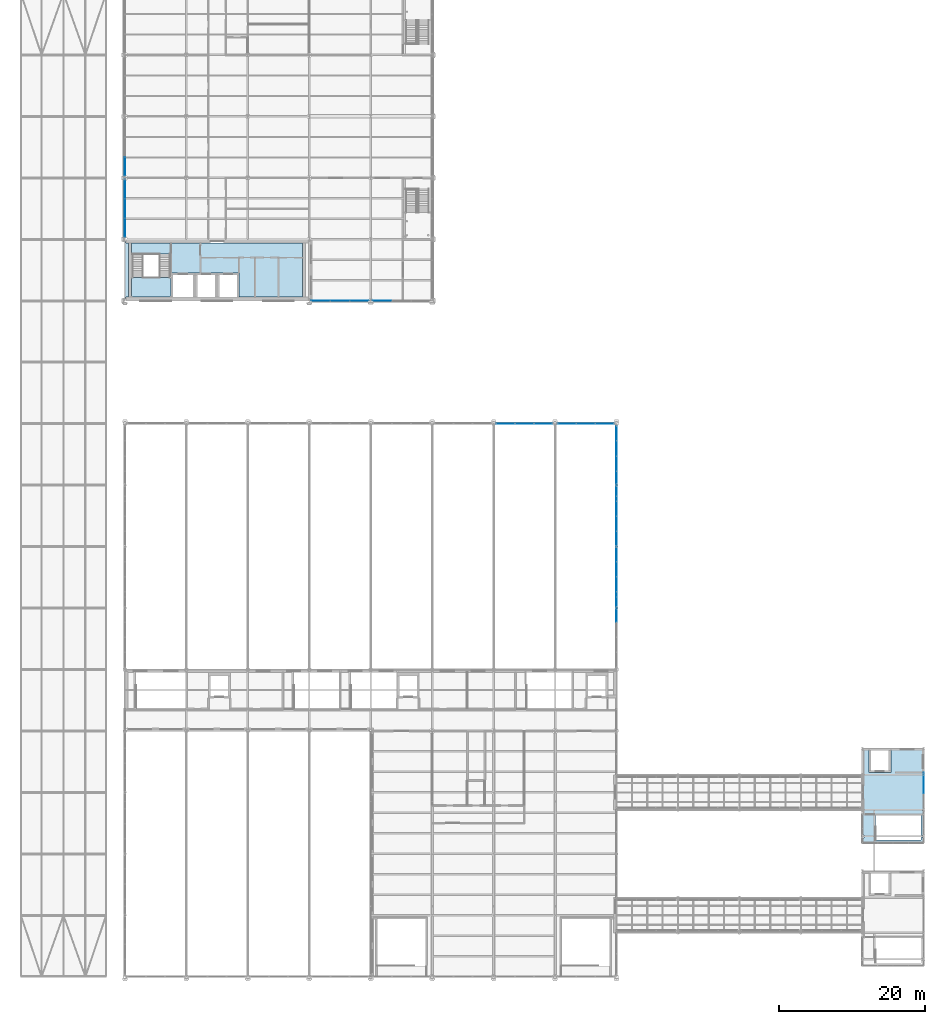
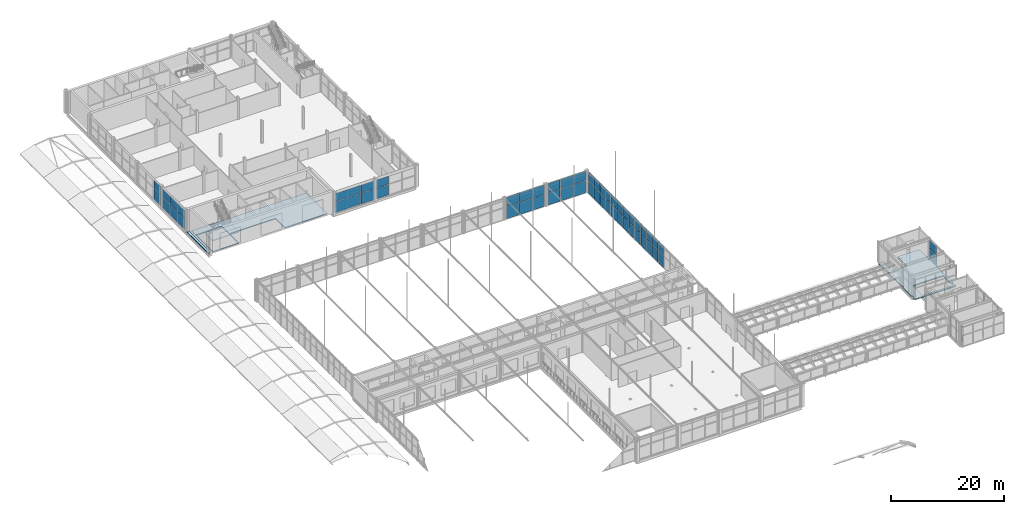
# One storey, part 147 of 167: 56 plates, 4 slabs, 9 elements without a shape of their own.
"""IFC4 building model written with IfcOpenShell, lengths in metres."""

from ifc_helpers import new_model, si_unit, direction, frame, origin, origin_2d, place, context, subcontext, project, spatial, polyline, rectangle, outline, extrude, material, layer, layer_set, type_object, element, aggregate, save


model = new_model("IFC4")

# Units and contexts
model_context = context("Model", 3, precision=1e-05, world=origin(), true_north=direction((0.0, 1.0)))
body_context = subcontext(model_context, "Body", "Model", "MODEL_VIEW")
ifc_project = project(units=[si_unit("LENGTHUNIT", "METRE"), si_unit("AREAUNIT", "SQUARE_METRE"), si_unit("VOLUMEUNIT", "CUBIC_METRE"), si_unit("PLANEANGLEUNIT", "RADIAN"), si_unit("MASSUNIT", "GRAM", prefix="KILO")], contexts=[model_context])

# Site, building, storey
site_placement = place(None, origin())
site = spatial("IfcSite", under=ifc_project, at=site_placement, CompositionType="ELEMENT")
building_placement = place(site_placement, origin())
building = spatial("IfcBuilding", under=site, at=building_placement, Name="Catenary Quay Ferry Terminal", CompositionType="ELEMENT")
storey_placement = place(building_placement, frame((0.0, 0.0, 6.0)))
storey = spatial("IfcBuildingStorey", under=building, at=storey_placement, Name="L01", CompositionType="ELEMENT", Elevation=6.0)

# Slabs
ifc_material_1 = material(Name="Concrete C35/45", Category="concrete")
ifc_layer_1 = layer(ifc_material_1, 0.199951171875)
ifc_layer_set_1 = layer_set([ifc_layer_1], Name="Composite floor slab 200")
slab_type_1 = type_object("IfcSlabType", Name="Composite floor slab 200", PredefinedType="FLOOR", material=ifc_layer_set_1)
slab_1_placement = place(storey_placement, frame((0.0, 0.0, -0.199951171875)))
element("IfcSlab", 1, at=slab_1_placement, inside=storey, type_object=slab_type_1, Name="Berth head house floor slab BH2", PredefinedType="FLOOR", context=body_context, shape_type="SweptSolid", body=[
    extrude(outline(polyline([(134.39990234375, 85.5), (126.0, 85.5), (126.0, 86.195068359375), (126.205078125, 86.195068359375), (126.205078125, 86.60498046875), (126.0, 86.60498046875), (126.0, 89.840087890625), (126.159912109375, 89.840087890625), (126.159912109375, 90.159912109375), (126.0, 90.159912109375), (126.0, 94.639892578125), (126.159912109375, 94.639892578125), (126.159912109375, 94.9599609375), (126.0, 94.9599609375), (126.0, 98.195068359375), (126.205078125, 98.195068359375), (126.205078125, 98.39990234375), (126.89990234375, 98.39990234375), (126.89990234375, 95.10009765625), (129.89990234375, 95.10009765625), (129.89990234375, 98.39990234375), (134.195068359375, 98.39990234375), (134.195068359375, 98.195068359375), (134.39990234375, 98.195068359375), (134.39990234375, 94.9599609375), (134.239990234375, 94.9599609375), (134.239990234375, 94.639892578125), (134.39990234375, 94.639892578125), (134.39990234375, 90.159912109375), (134.239990234375, 90.159912109375), (134.239990234375, 89.840087890625), (134.39990234375, 89.840087890625), (134.39990234375, 86.60498046875), (134.195068359375, 86.60498046875), (134.195068359375, 86.195068359375), (134.39990234375, 86.195068359375), (134.39990234375, 85.5)]), holes=[polyline([(134.0, 85.89990234375), (134.0, 89.300048828125), (127.800048828125, 89.300048828125), (127.800048828125, 85.89990234375), (134.0, 85.89990234375)])]), origin(), (0.0, 0.0, 1.0), 0.199951171875),
])
slab_2_placement = place(storey_placement, frame((0.0, 0.0, -0.199951171875)))
element("IfcSlab", 2, at=slab_2_placement, inside=storey, type_object=slab_type_1, Name="L01 podium floor slab", PredefinedType="FLOOR", context=body_context, shape_type="SweptSolid", body=[
    extrude(outline(polyline([(25.199951171875, 167.739990234375), (25.340087890625, 167.739990234375), (25.340087890625, 167.489990234375), (25.68994140625, 167.489990234375), (25.68994140625, 160.110107421875), (25.340087890625, 160.110107421875), (25.340087890625, 159.860107421875), (25.199951171875, 159.860107421875), (25.199951171875, 167.739990234375)])), origin(), (0.0, 0.0, 1.0), 0.199951171875),
])
slab_3_placement = place(storey_placement, frame((0.0, 0.0, -0.199951171875)))
element("IfcSlab", 3, at=slab_3_placement, inside=storey, type_object=slab_type_1, Name="L01 podium floor slab", PredefinedType="FLOOR", context=body_context, shape_type="SweptSolid", body=[
    extrude(outline(polyline([(26.110107421875, 167.489990234375), (49.489990234375, 167.489990234375), (49.489990234375, 160.110107421875), (40.800048828125, 160.110107421875), (40.800048828125, 163.39990234375), (37.800048828125, 163.39990234375), (34.800048828125, 163.39990234375), (31.5, 163.39990234375), (31.5, 160.110107421875), (26.110107421875, 160.110107421875), (26.110107421875, 167.489990234375)]), holes=[polyline([(26.199951171875, 160.199951171875), (31.39990234375, 160.199951171875), (31.39990234375, 166.0), (26.199951171875, 166.0), (26.199951171875, 160.199951171875)])]), origin(), (0.0, 0.0, 1.0), 0.199951171875),
])

# Curtain wall, plates
ifc_material_2 = material(Name="Aluminium and glass", Category="aluminium")
curtain_wall_type_1 = type_object("IfcCurtainWallType", Name="CWG", PredefinedType="NOTDEFINED", material=ifc_material_2)
curtain_wall_1_placement = place(storey_placement, origin())
curtain_wall_1 = element("IfcCurtainWall", 4, at=curtain_wall_1_placement, inside=storey, type_object=curtain_wall_type_1, Name="Gable departure hall curtain wall CW20", PredefinedType="NOTDEFINED")
ifc_material_3 = material(Name="Glass", Category="glass")
ifc_layer_2 = layer(ifc_material_3, 0.031982421875)
ifc_layer_set_2 = layer_set([ifc_layer_2], Name="PN1")
plate_type_1 = type_object("IfcPlateType", Name="PN1", PredefinedType="CURTAIN_PANEL", material=ifc_layer_set_2)
plate_1_placement = place(storey_placement, frame((92.39990234375, 116.71875, 0.06005859375), z_axis=(0.0, 0.0, 1.0), x_axis=(0.0, 1.0, 0.0)))
plate_1 = element("IfcPlate", 5, at=plate_1_placement, type_object=plate_type_1, Name="CW20 panel 4.1", PredefinedType="CURTAIN_PANEL", context=body_context, shape_type="SweptSolid", body=[
    extrude(rectangle(XDim=2.00244140625, YDim=0.031982421875, at=origin_2d()), origin(), (0.0, 0.0, 1.0), 2.610107421875),
])
plate_2_placement = place(storey_placement, frame((92.39990234375, 116.71875, 2.72998046875), z_axis=(0.0, 0.0, 1.0), x_axis=(0.0, 1.0, 0.0)))
plate_2 = element("IfcPlate", 6, at=plate_2_placement, type_object=plate_type_1, Name="CW20 panel 4.2", PredefinedType="CURTAIN_PANEL", context=body_context, shape_type="SweptSolid", body=[
    extrude(rectangle(XDim=2.00244140625, YDim=0.031982421875, at=origin_2d()), origin(), (0.0, 0.0, 1.0), 2.010009765625),
])
plate_3_placement = place(storey_placement, frame((92.39990234375, 118.78125, 0.06005859375), z_axis=(0.0, 0.0, 1.0), x_axis=(0.0, 1.0, 0.0)))
plate_3 = element("IfcPlate", 7, at=plate_3_placement, type_object=plate_type_1, Name="CW20 panel 5.1", PredefinedType="CURTAIN_PANEL", context=body_context, shape_type="SweptSolid", body=[
    extrude(rectangle(XDim=2.00244140625, YDim=0.031982421875, at=origin_2d()), origin(), (0.0, 0.0, 1.0), 2.610107421875),
])
plate_4_placement = place(storey_placement, frame((92.39990234375, 118.78125, 2.72998046875), z_axis=(0.0, 0.0, 1.0), x_axis=(0.0, 1.0, 0.0)))
plate_4 = element("IfcPlate", 8, at=plate_4_placement, type_object=plate_type_1, Name="CW20 panel 5.2", PredefinedType="CURTAIN_PANEL", context=body_context, shape_type="SweptSolid", body=[
    extrude(rectangle(XDim=2.00244140625, YDim=0.031982421875, at=origin_2d()), origin(), (0.0, 0.0, 1.0), 2.010009765625),
])
plate_5_placement = place(storey_placement, frame((92.39990234375, 120.84375, 0.06005859375), z_axis=(0.0, 0.0, 1.0), x_axis=(0.0, 1.0, 0.0)))
plate_5 = element("IfcPlate", 9, at=plate_5_placement, type_object=plate_type_1, Name="CW20 panel 6.1", PredefinedType="CURTAIN_PANEL", context=body_context, shape_type="SweptSolid", body=[
    extrude(rectangle(XDim=2.00244140625, YDim=0.031982421875, at=origin_2d()), origin(), (0.0, 0.0, 1.0), 2.610107421875),
])
plate_6_placement = place(storey_placement, frame((92.39990234375, 120.84375, 2.72998046875), z_axis=(0.0, 0.0, 1.0), x_axis=(0.0, 1.0, 0.0)))
plate_6 = element("IfcPlate", 10, at=plate_6_placement, type_object=plate_type_1, Name="CW20 panel 6.2", PredefinedType="CURTAIN_PANEL", context=body_context, shape_type="SweptSolid", body=[
    extrude(rectangle(XDim=2.00244140625, YDim=0.031982421875, at=origin_2d()), origin(), (0.0, 0.0, 1.0), 2.010009765625),
])
plate_7_placement = place(storey_placement, frame((92.39990234375, 122.90625, 0.06005859375), z_axis=(0.0, 0.0, 1.0), x_axis=(0.0, 1.0, 0.0)))
plate_7 = element("IfcPlate", 11, at=plate_7_placement, type_object=plate_type_1, Name="CW20 panel 7.1", PredefinedType="CURTAIN_PANEL", context=body_context, shape_type="SweptSolid", body=[
    extrude(rectangle(XDim=2.00244140625, YDim=0.031982421875, at=origin_2d()), origin(), (0.0, 0.0, 1.0), 2.610107421875),
])
plate_8_placement = place(storey_placement, frame((92.39990234375, 122.90625, 2.72998046875), z_axis=(0.0, 0.0, 1.0), x_axis=(0.0, 1.0, 0.0)))
plate_8 = element("IfcPlate", 12, at=plate_8_placement, type_object=plate_type_1, Name="CW20 panel 7.2", PredefinedType="CURTAIN_PANEL", context=body_context, shape_type="SweptSolid", body=[
    extrude(rectangle(XDim=2.00244140625, YDim=0.031982421875, at=origin_2d()), origin(), (0.0, 0.0, 1.0), 2.010009765625),
])
plate_9_placement = place(storey_placement, frame((92.39990234375, 124.96875, 0.06005859375), z_axis=(0.0, 0.0, 1.0), x_axis=(0.0, 1.0, 0.0)))
plate_9 = element("IfcPlate", 13, at=plate_9_placement, type_object=plate_type_1, Name="CW20 panel 8.1", PredefinedType="CURTAIN_PANEL", context=body_context, shape_type="SweptSolid", body=[
    extrude(rectangle(XDim=2.00244140625, YDim=0.031982421875, at=origin_2d()), origin(), (0.0, 0.0, 1.0), 2.610107421875),
])
plate_10_placement = place(storey_placement, frame((92.39990234375, 124.96875, 2.72998046875), z_axis=(0.0, 0.0, 1.0), x_axis=(0.0, 1.0, 0.0)))
plate_10 = element("IfcPlate", 14, at=plate_10_placement, type_object=plate_type_1, Name="CW20 panel 8.2", PredefinedType="CURTAIN_PANEL", context=body_context, shape_type="SweptSolid", body=[
    extrude(rectangle(XDim=2.00244140625, YDim=0.031982421875, at=origin_2d()), origin(), (0.0, 0.0, 1.0), 2.010009765625),
])
plate_11_placement = place(storey_placement, frame((92.39990234375, 127.03125, 0.06005859375), z_axis=(0.0, 0.0, 1.0), x_axis=(0.0, 1.0, 0.0)))
plate_11 = element("IfcPlate", 15, at=plate_11_placement, type_object=plate_type_1, Name="CW20 panel 9.1", PredefinedType="CURTAIN_PANEL", context=body_context, shape_type="SweptSolid", body=[
    extrude(rectangle(XDim=2.00244140625, YDim=0.031982421875, at=origin_2d()), origin(), (0.0, 0.0, 1.0), 2.610107421875),
])
plate_12_placement = place(storey_placement, frame((92.39990234375, 127.03125, 2.72998046875), z_axis=(0.0, 0.0, 1.0), x_axis=(0.0, 1.0, 0.0)))
plate_12 = element("IfcPlate", 16, at=plate_12_placement, type_object=plate_type_1, Name="CW20 panel 9.2", PredefinedType="CURTAIN_PANEL", context=body_context, shape_type="SweptSolid", body=[
    extrude(rectangle(XDim=2.00244140625, YDim=0.031982421875, at=origin_2d()), origin(), (0.0, 0.0, 1.0), 2.010009765625),
])
plate_13_placement = place(storey_placement, frame((92.39990234375, 129.09375, 0.06005859375), z_axis=(0.0, 0.0, 1.0), x_axis=(0.0, 1.0, 0.0)))
plate_13 = element("IfcPlate", 17, at=plate_13_placement, type_object=plate_type_1, Name="CW20 panel 10.1", PredefinedType="CURTAIN_PANEL", context=body_context, shape_type="SweptSolid", body=[
    extrude(rectangle(XDim=2.00244140625, YDim=0.031982421875, at=origin_2d()), origin(), (0.0, 0.0, 1.0), 2.610107421875),
])
plate_14_placement = place(storey_placement, frame((92.39990234375, 129.09375, 2.72998046875), z_axis=(0.0, 0.0, 1.0), x_axis=(0.0, 1.0, 0.0)))
plate_14 = element("IfcPlate", 18, at=plate_14_placement, type_object=plate_type_1, Name="CW20 panel 10.2", PredefinedType="CURTAIN_PANEL", context=body_context, shape_type="SweptSolid", body=[
    extrude(rectangle(XDim=2.00244140625, YDim=0.031982421875, at=origin_2d()), origin(), (0.0, 0.0, 1.0), 2.010009765625),
])
plate_15_placement = place(storey_placement, frame((92.39990234375, 131.15625, 0.06005859375), z_axis=(0.0, 0.0, 1.0), x_axis=(0.0, 1.0, 0.0)))
plate_15 = element("IfcPlate", 19, at=plate_15_placement, type_object=plate_type_1, Name="CW20 panel 11.1", PredefinedType="CURTAIN_PANEL", context=body_context, shape_type="SweptSolid", body=[
    extrude(rectangle(XDim=2.00244140625, YDim=0.031982421875, at=origin_2d()), origin(), (0.0, 0.0, 1.0), 2.610107421875),
])
plate_16_placement = place(storey_placement, frame((92.39990234375, 131.15625, 2.72998046875), z_axis=(0.0, 0.0, 1.0), x_axis=(0.0, 1.0, 0.0)))
plate_16 = element("IfcPlate", 20, at=plate_16_placement, type_object=plate_type_1, Name="CW20 panel 11.2", PredefinedType="CURTAIN_PANEL", context=body_context, shape_type="SweptSolid", body=[
    extrude(rectangle(XDim=2.00244140625, YDim=0.031982421875, at=origin_2d()), origin(), (0.0, 0.0, 1.0), 2.010009765625),
])
plate_17_placement = place(storey_placement, frame((92.39990234375, 133.21875, 0.06005859375), z_axis=(0.0, 0.0, 1.0), x_axis=(0.0, 1.0, 0.0)))
plate_17 = element("IfcPlate", 21, at=plate_17_placement, type_object=plate_type_1, Name="CW20 panel 12.1", PredefinedType="CURTAIN_PANEL", context=body_context, shape_type="SweptSolid", body=[
    extrude(rectangle(XDim=2.00244140625, YDim=0.031982421875, at=origin_2d()), origin(), (0.0, 0.0, 1.0), 2.610107421875),
])
plate_18_placement = place(storey_placement, frame((92.39990234375, 133.21875, 2.72998046875), z_axis=(0.0, 0.0, 1.0), x_axis=(0.0, 1.0, 0.0)))
plate_18 = element("IfcPlate", 22, at=plate_18_placement, type_object=plate_type_1, Name="CW20 panel 12.2", PredefinedType="CURTAIN_PANEL", context=body_context, shape_type="SweptSolid", body=[
    extrude(rectangle(XDim=2.00244140625, YDim=0.031982421875, at=origin_2d()), origin(), (0.0, 0.0, 1.0), 2.010009765625),
])
plate_19_placement = place(storey_placement, frame((92.39990234375, 135.28125, 0.06005859375), z_axis=(0.0, 0.0, 1.0), x_axis=(0.0, 1.0, 0.0)))
plate_19 = element("IfcPlate", 23, at=plate_19_placement, type_object=plate_type_1, Name="CW20 panel 13.1", PredefinedType="CURTAIN_PANEL", context=body_context, shape_type="SweptSolid", body=[
    extrude(rectangle(XDim=2.00244140625, YDim=0.031982421875, at=origin_2d()), origin(), (0.0, 0.0, 1.0), 2.610107421875),
])
plate_20_placement = place(storey_placement, frame((92.39990234375, 135.28125, 2.72998046875), z_axis=(0.0, 0.0, 1.0), x_axis=(0.0, 1.0, 0.0)))
plate_20 = element("IfcPlate", 24, at=plate_20_placement, type_object=plate_type_1, Name="CW20 panel 13.2", PredefinedType="CURTAIN_PANEL", context=body_context, shape_type="SweptSolid", body=[
    extrude(rectangle(XDim=2.00244140625, YDim=0.031982421875, at=origin_2d()), origin(), (0.0, 0.0, 1.0), 2.010009765625),
])
plate_21_placement = place(storey_placement, frame((92.39990234375, 137.34375, 0.06005859375), z_axis=(0.0, 0.0, 1.0), x_axis=(0.0, 1.0, 0.0)))
plate_21 = element("IfcPlate", 25, at=plate_21_placement, type_object=plate_type_1, Name="CW20 panel 14.1", PredefinedType="CURTAIN_PANEL", context=body_context, shape_type="SweptSolid", body=[
    extrude(rectangle(XDim=2.00244140625, YDim=0.031982421875, at=origin_2d()), origin(), (0.0, 0.0, 1.0), 2.610107421875),
])
plate_22_placement = place(storey_placement, frame((92.39990234375, 137.34375, 2.72998046875), z_axis=(0.0, 0.0, 1.0), x_axis=(0.0, 1.0, 0.0)))
plate_22 = element("IfcPlate", 26, at=plate_22_placement, type_object=plate_type_1, Name="CW20 panel 14.2", PredefinedType="CURTAIN_PANEL", context=body_context, shape_type="SweptSolid", body=[
    extrude(rectangle(XDim=2.00244140625, YDim=0.031982421875, at=origin_2d()), origin(), (0.0, 0.0, 1.0), 2.010009765625),
])
plate_23_placement = place(storey_placement, frame((92.39990234375, 139.40625, 0.06005859375), z_axis=(0.0, 0.0, 1.0), x_axis=(0.0, 1.0, 0.0)))
plate_23 = element("IfcPlate", 27, at=plate_23_placement, type_object=plate_type_1, Name="CW20 panel 15.1", PredefinedType="CURTAIN_PANEL", context=body_context, shape_type="SweptSolid", body=[
    extrude(rectangle(XDim=2.00244140625, YDim=0.031982421875, at=origin_2d()), origin(), (0.0, 0.0, 1.0), 2.610107421875),
])
plate_24_placement = place(storey_placement, frame((92.39990234375, 139.40625, 2.72998046875), z_axis=(0.0, 0.0, 1.0), x_axis=(0.0, 1.0, 0.0)))
plate_24 = element("IfcPlate", 28, at=plate_24_placement, type_object=plate_type_1, Name="CW20 panel 15.2", PredefinedType="CURTAIN_PANEL", context=body_context, shape_type="SweptSolid", body=[
    extrude(rectangle(XDim=2.00244140625, YDim=0.031982421875, at=origin_2d()), origin(), (0.0, 0.0, 1.0), 2.010009765625),
])
plate_25_placement = place(storey_placement, frame((92.39990234375, 141.453857421875, 0.06005859375), z_axis=(0.0, 0.0, 1.0), x_axis=(0.0, 1.0, 0.0)))
plate_25 = element("IfcPlate", 29, at=plate_25_placement, type_object=plate_type_1, Name="CW20 panel 16.1", PredefinedType="CURTAIN_PANEL", context=body_context, shape_type="SweptSolid", body=[
    extrude(rectangle(XDim=1.972412109375, YDim=0.031982421875, at=origin_2d()), origin(), (0.0, 0.0, 1.0), 2.610107421875),
])
plate_26_placement = place(storey_placement, frame((92.39990234375, 141.453857421875, 2.72998046875), z_axis=(0.0, 0.0, 1.0), x_axis=(0.0, 1.0, 0.0)))
plate_26 = element("IfcPlate", 30, at=plate_26_placement, type_object=plate_type_1, Name="CW20 panel 16.2", PredefinedType="CURTAIN_PANEL", context=body_context, shape_type="SweptSolid", body=[
    extrude(rectangle(XDim=1.972412109375, YDim=0.031982421875, at=origin_2d()), origin(), (0.0, 0.0, 1.0), 2.010009765625),
])
aggregate(curtain_wall_1, [plate_1, plate_2, plate_3, plate_4, plate_5, plate_6, plate_7, plate_8, plate_9, plate_10, plate_11, plate_12, plate_13, plate_14, plate_15, plate_16, plate_17, plate_18, plate_19, plate_20, plate_21, plate_22, plate_23, plate_24, plate_25, plate_26])

ifc_material_4 = material(Name="Aluminium and glass", Category="aluminium")
curtain_wall_type_2 = type_object("IfcCurtainWallType", Name="CWH", PredefinedType="NOTDEFINED", material=ifc_material_4)
curtain_wall_2_placement = place(storey_placement, origin())
curtain_wall_2 = element("IfcCurtainWall", 31, at=curtain_wall_2_placement, inside=storey, type_object=curtain_wall_type_2, Name="Hall curtain wall CW54", PredefinedType="NOTDEFINED")
ifc_material_5 = material(Name="Glass", Category="glass")
ifc_layer_3 = layer(ifc_material_5, 0.0400390625)
ifc_layer_set_3 = layer_set([ifc_layer_3], Name="PN2")
plate_type_2 = type_object("IfcPlateType", Name="PN2", PredefinedType="CURTAIN_PANEL", material=ifc_layer_set_3)
plate_27_placement = place(storey_placement, frame((77.217529296875, 142.800048828125, 0.06005859375), z_axis=(0.0, 0.0, 1.0), x_axis=(1.0, 0.0, 0.0)))
plate_27 = element("IfcPlate", 32, at=plate_27_placement, type_object=plate_type_2, Name="CW54 panel 1.1", PredefinedType="CURTAIN_PANEL", context=body_context, shape_type="SweptSolid", body=[
    extrude(rectangle(XDim=2.4951171875, YDim=0.0400390625, at=origin_2d()), origin(), (0.0, 0.0, 1.0), 2.610107421875),
])
plate_28_placement = place(storey_placement, frame((77.217529296875, 142.800048828125, 2.72998046875), z_axis=(0.0, 0.0, 1.0), x_axis=(1.0, 0.0, 0.0)))
plate_28 = element("IfcPlate", 33, at=plate_28_placement, type_object=plate_type_2, Name="CW54 panel 1.2", PredefinedType="CURTAIN_PANEL", context=body_context, shape_type="SweptSolid", body=[
    extrude(rectangle(XDim=2.4951171875, YDim=0.0400390625, at=origin_2d()), origin(), (0.0, 0.0, 1.0), 2.010009765625),
])
plate_29_placement = place(storey_placement, frame((79.800048828125, 142.800048828125, 0.06005859375), z_axis=(0.0, 0.0, 1.0), x_axis=(1.0, 0.0, 0.0)))
plate_29 = element("IfcPlate", 34, at=plate_29_placement, type_object=plate_type_2, Name="CW54 panel 2.1", PredefinedType="CURTAIN_PANEL", context=body_context, shape_type="SweptSolid", body=[
    extrude(rectangle(XDim=2.530029296875, YDim=0.0400390625, at=origin_2d()), origin(), (0.0, 0.0, 1.0), 2.610107421875),
])
plate_30_placement = place(storey_placement, frame((79.800048828125, 142.800048828125, 2.72998046875), z_axis=(0.0, 0.0, 1.0), x_axis=(1.0, 0.0, 0.0)))
plate_30 = element("IfcPlate", 35, at=plate_30_placement, type_object=plate_type_2, Name="CW54 panel 2.2", PredefinedType="CURTAIN_PANEL", context=body_context, shape_type="SweptSolid", body=[
    extrude(rectangle(XDim=2.530029296875, YDim=0.0400390625, at=origin_2d()), origin(), (0.0, 0.0, 1.0), 2.010009765625),
])
plate_31_placement = place(storey_placement, frame((82.382568359375, 142.800048828125, 0.06005859375), z_axis=(0.0, 0.0, 1.0), x_axis=(1.0, 0.0, 0.0)))
plate_31 = element("IfcPlate", 36, at=plate_31_placement, type_object=plate_type_2, Name="CW54 panel 3.1", PredefinedType="CURTAIN_PANEL", context=body_context, shape_type="SweptSolid", body=[
    extrude(rectangle(XDim=2.4951171875, YDim=0.0400390625, at=origin_2d()), origin(), (0.0, 0.0, 1.0), 2.610107421875),
])
plate_32_placement = place(storey_placement, frame((82.382568359375, 142.800048828125, 2.72998046875), z_axis=(0.0, 0.0, 1.0), x_axis=(1.0, 0.0, 0.0)))
plate_32 = element("IfcPlate", 37, at=plate_32_placement, type_object=plate_type_2, Name="CW54 panel 3.2", PredefinedType="CURTAIN_PANEL", context=body_context, shape_type="SweptSolid", body=[
    extrude(rectangle(XDim=2.4951171875, YDim=0.0400390625, at=origin_2d()), origin(), (0.0, 0.0, 1.0), 2.010009765625),
])
aggregate(curtain_wall_2, [plate_27, plate_28, plate_29, plate_30, plate_31, plate_32])

curtain_wall_3_placement = place(storey_placement, origin())
curtain_wall_3 = element("IfcCurtainWall", 38, at=curtain_wall_3_placement, inside=storey, type_object=curtain_wall_type_2, Name="Hall curtain wall CW55", PredefinedType="NOTDEFINED")
plate_33_placement = place(storey_placement, frame((85.617431640625, 142.800048828125, 0.06005859375), z_axis=(0.0, 0.0, 1.0), x_axis=(1.0, 0.0, 0.0)))
plate_33 = element("IfcPlate", 39, at=plate_33_placement, type_object=plate_type_2, Name="CW55 panel 1.1", PredefinedType="CURTAIN_PANEL", context=body_context, shape_type="SweptSolid", body=[
    extrude(rectangle(XDim=2.4951171875, YDim=0.0400390625, at=origin_2d()), origin(), (0.0, 0.0, 1.0), 2.610107421875),
])
plate_34_placement = place(storey_placement, frame((85.617431640625, 142.800048828125, 2.72998046875), z_axis=(0.0, 0.0, 1.0), x_axis=(1.0, 0.0, 0.0)))
plate_34 = element("IfcPlate", 40, at=plate_34_placement, type_object=plate_type_2, Name="CW55 panel 1.2", PredefinedType="CURTAIN_PANEL", context=body_context, shape_type="SweptSolid", body=[
    extrude(rectangle(XDim=2.4951171875, YDim=0.0400390625, at=origin_2d()), origin(), (0.0, 0.0, 1.0), 2.010009765625),
])
plate_35_placement = place(storey_placement, frame((88.199951171875, 142.800048828125, 0.06005859375), z_axis=(0.0, 0.0, 1.0), x_axis=(1.0, 0.0, 0.0)))
plate_35 = element("IfcPlate", 41, at=plate_35_placement, type_object=plate_type_2, Name="CW55 panel 2.1", PredefinedType="CURTAIN_PANEL", context=body_context, shape_type="SweptSolid", body=[
    extrude(rectangle(XDim=2.530029296875, YDim=0.0400390625, at=origin_2d()), origin(), (0.0, 0.0, 1.0), 2.610107421875),
])
plate_36_placement = place(storey_placement, frame((88.199951171875, 142.800048828125, 2.72998046875), z_axis=(0.0, 0.0, 1.0), x_axis=(1.0, 0.0, 0.0)))
plate_36 = element("IfcPlate", 42, at=plate_36_placement, type_object=plate_type_2, Name="CW55 panel 2.2", PredefinedType="CURTAIN_PANEL", context=body_context, shape_type="SweptSolid", body=[
    extrude(rectangle(XDim=2.530029296875, YDim=0.0400390625, at=origin_2d()), origin(), (0.0, 0.0, 1.0), 2.010009765625),
])
plate_37_placement = place(storey_placement, frame((90.782470703125, 142.800048828125, 0.06005859375), z_axis=(0.0, 0.0, 1.0), x_axis=(1.0, 0.0, 0.0)))
plate_37 = element("IfcPlate", 43, at=plate_37_placement, type_object=plate_type_2, Name="CW55 panel 3.1", PredefinedType="CURTAIN_PANEL", context=body_context, shape_type="SweptSolid", body=[
    extrude(rectangle(XDim=2.4951171875, YDim=0.0400390625, at=origin_2d()), origin(), (0.0, 0.0, 1.0), 2.610107421875),
])
plate_38_placement = place(storey_placement, frame((90.782470703125, 142.800048828125, 2.72998046875), z_axis=(0.0, 0.0, 1.0), x_axis=(1.0, 0.0, 0.0)))
plate_38 = element("IfcPlate", 44, at=plate_38_placement, type_object=plate_type_2, Name="CW55 panel 3.2", PredefinedType="CURTAIN_PANEL", context=body_context, shape_type="SweptSolid", body=[
    extrude(rectangle(XDim=2.4951171875, YDim=0.0400390625, at=origin_2d()), origin(), (0.0, 0.0, 1.0), 2.010009765625),
])
aggregate(curtain_wall_3, [plate_33, plate_34, plate_35, plate_36, plate_37, plate_38])

ifc_material_6 = material(Name="Aluminium and glass", Category="aluminium")
curtain_wall_type_3 = type_object("IfcCurtainWallType", Name="CWK", PredefinedType="NOTDEFINED", material=ifc_material_6)
curtain_wall_4_placement = place(storey_placement, origin())
curtain_wall_4 = element("IfcCurtainWall", 45, at=curtain_wall_4_placement, inside=storey, type_object=curtain_wall_type_3, Name="Head berth 2 landing curtain wall CW91", PredefinedType="NOTDEFINED")
ifc_material_7 = material(Name="Glass", Category="glass")
ifc_layer_4 = layer(ifc_material_7, 0.02490234375)
ifc_layer_set_4 = layer_set([ifc_layer_4], Name="PN3")
plate_type_3 = type_object("IfcPlateType", Name="PN3", PredefinedType="CURTAIN_PANEL", material=ifc_layer_set_4)
plate_39_placement = place(storey_placement, frame((134.39990234375, 93.66259765625, 0.0498046875), z_axis=(0.0, 0.0, 1.0), x_axis=(0.0, 1.0, 0.0)))
plate_39 = element("IfcPlate", 46, at=plate_39_placement, type_object=plate_type_3, Name="CW91 panel 2.1", PredefinedType="CURTAIN_PANEL", context=body_context, shape_type="SweptSolid", body=[
    extrude(rectangle(XDim=2.77490234375, YDim=0.02490234375, at=origin_2d()), origin(), (0.0, 0.0, 1.0), 2.324951171875),
])
plate_40_placement = place(storey_placement, frame((134.39990234375, 93.66259765625, 2.425048828125), z_axis=(0.0, 0.0, 1.0), x_axis=(0.0, 1.0, 0.0)))
plate_40 = element("IfcPlate", 47, at=plate_40_placement, type_object=plate_type_3, Name="CW91 panel 2.2", PredefinedType="CURTAIN_PANEL", context=body_context, shape_type="SweptSolid", body=[
    extrude(rectangle(XDim=2.77490234375, YDim=0.02490234375, at=origin_2d()), origin(), (0.0, 0.0, 1.0), 1.72509765625),
])
aggregate(curtain_wall_4, [plate_39, plate_40])

ifc_material_8 = material(Name="Aluminium and glass", Category="aluminium")
curtain_wall_type_4 = type_object("IfcCurtainWallType", Name="CWW2", PredefinedType="NOTDEFINED", material=ifc_material_8)
curtain_wall_5_placement = place(storey_placement, origin())
curtain_wall_5 = element("IfcCurtainWall", 48, at=curtain_wall_5_placement, inside=storey, type_object=curtain_wall_type_4, Name="Wing curtain wall CW124", PredefinedType="NOTDEFINED")
ifc_material_9 = material(Name="Glass", Category="glass")
ifc_layer_5 = layer(ifc_material_9, 0.035888671875)
ifc_layer_set_5 = layer_set([ifc_layer_5], Name="PN4")
plate_type_4 = type_object("IfcPlateType", Name="PN4", PredefinedType="CURTAIN_PANEL", material=ifc_layer_set_5)
plate_41_placement = place(storey_placement, frame((25.199951171875, 169.55078125, 0.06005859375), z_axis=(0.0, 0.0, 1.0), x_axis=(0.0, 1.0, 0.0)))
plate_41 = element("IfcPlate", 49, at=plate_41_placement, type_object=plate_type_4, Name="CW124 panel 1.1", PredefinedType="CURTAIN_PANEL", context=body_context, shape_type="SweptSolid", body=[
    extrude(rectangle(XDim=2.561767578125, YDim=0.035888671875, at=origin_2d()), origin(), (0.0, 0.0, 1.0), 2.31005859375),
])
plate_42_placement = place(storey_placement, frame((25.199951171875, 169.55078125, 2.429931640625), z_axis=(0.0, 0.0, 1.0), x_axis=(0.0, 1.0, 0.0)))
plate_42 = element("IfcPlate", 50, at=plate_42_placement, type_object=plate_type_4, Name="CW124 panel 1.2", PredefinedType="CURTAIN_PANEL", context=body_context, shape_type="SweptSolid", body=[
    extrude(rectangle(XDim=2.561767578125, YDim=0.035888671875, at=origin_2d()), origin(), (0.0, 0.0, 1.0), 1.7099609375),
])
plate_43_placement = place(storey_placement, frame((25.199951171875, 172.199951171875, 0.06005859375), z_axis=(0.0, 0.0, 1.0), x_axis=(0.0, 1.0, 0.0)))
plate_43 = element("IfcPlate", 51, at=plate_43_placement, type_object=plate_type_4, Name="CW124 panel 2.1", PredefinedType="CURTAIN_PANEL", context=body_context, shape_type="SweptSolid", body=[
    extrude(rectangle(XDim=2.5966796875, YDim=0.035888671875, at=origin_2d()), origin(), (0.0, 0.0, 1.0), 2.31005859375),
])
plate_44_placement = place(storey_placement, frame((25.199951171875, 172.199951171875, 2.429931640625), z_axis=(0.0, 0.0, 1.0), x_axis=(0.0, 1.0, 0.0)))
plate_44 = element("IfcPlate", 52, at=plate_44_placement, type_object=plate_type_4, Name="CW124 panel 2.2", PredefinedType="CURTAIN_PANEL", context=body_context, shape_type="SweptSolid", body=[
    extrude(rectangle(XDim=2.5966796875, YDim=0.035888671875, at=origin_2d()), origin(), (0.0, 0.0, 1.0), 1.7099609375),
])
plate_45_placement = place(storey_placement, frame((25.199951171875, 174.84912109375, 0.06005859375), z_axis=(0.0, 0.0, 1.0), x_axis=(0.0, 1.0, 0.0)))
plate_45 = element("IfcPlate", 53, at=plate_45_placement, type_object=plate_type_4, Name="CW124 panel 3.1", PredefinedType="CURTAIN_PANEL", context=body_context, shape_type="SweptSolid", body=[
    extrude(rectangle(XDim=2.561767578125, YDim=0.035888671875, at=origin_2d()), origin(), (0.0, 0.0, 1.0), 2.31005859375),
])
plate_46_placement = place(storey_placement, frame((25.199951171875, 174.84912109375, 2.429931640625), z_axis=(0.0, 0.0, 1.0), x_axis=(0.0, 1.0, 0.0)))
plate_46 = element("IfcPlate", 54, at=plate_46_placement, type_object=plate_type_4, Name="CW124 panel 3.2", PredefinedType="CURTAIN_PANEL", context=body_context, shape_type="SweptSolid", body=[
    extrude(rectangle(XDim=2.561767578125, YDim=0.035888671875, at=origin_2d()), origin(), (0.0, 0.0, 1.0), 1.7099609375),
])
aggregate(curtain_wall_5, [plate_41, plate_42, plate_43, plate_44, plate_45, plate_46])

curtain_wall_6_placement = place(storey_placement, origin())
curtain_wall_6 = element("IfcCurtainWall", 55, at=curtain_wall_6_placement, inside=storey, type_object=curtain_wall_type_4, Name="Wing curtain wall CW125", PredefinedType="NOTDEFINED")
plate_47_placement = place(storey_placement, frame((25.199951171875, 177.950927734375, 0.06005859375), z_axis=(0.0, 0.0, 1.0), x_axis=(0.0, 1.0, 0.0)))
plate_47 = element("IfcPlate", 56, at=plate_47_placement, type_object=plate_type_4, Name="CW125 panel 1.1", PredefinedType="CURTAIN_PANEL", context=body_context, shape_type="SweptSolid", body=[
    extrude(rectangle(XDim=2.561767578125, YDim=0.035888671875, at=origin_2d()), origin(), (0.0, 0.0, 1.0), 2.31005859375),
])
plate_48_placement = place(storey_placement, frame((25.199951171875, 177.950927734375, 2.429931640625), z_axis=(0.0, 0.0, 1.0), x_axis=(0.0, 1.0, 0.0)))
plate_48 = element("IfcPlate", 57, at=plate_48_placement, type_object=plate_type_4, Name="CW125 panel 1.2", PredefinedType="CURTAIN_PANEL", context=body_context, shape_type="SweptSolid", body=[
    extrude(rectangle(XDim=2.561767578125, YDim=0.035888671875, at=origin_2d()), origin(), (0.0, 0.0, 1.0), 1.7099609375),
])
aggregate(curtain_wall_6, [plate_47, plate_48])

curtain_wall_7_placement = place(storey_placement, origin())
curtain_wall_7 = element("IfcCurtainWall", 58, at=curtain_wall_7_placement, inside=storey, type_object=curtain_wall_type_4, Name="Wing curtain wall CW128", PredefinedType="NOTDEFINED")
plate_49_placement = place(storey_placement, frame((51.950927734375, 159.60009765625, 0.06005859375), z_axis=(0.0, 0.0, 1.0), x_axis=(1.0, 0.0, 0.0)))
plate_49 = element("IfcPlate", 59, at=plate_49_placement, type_object=plate_type_4, Name="CW128 panel 1.1", PredefinedType="CURTAIN_PANEL", context=body_context, shape_type="SweptSolid", body=[
    extrude(rectangle(XDim=2.561767578125, YDim=0.035888671875, at=origin_2d()), origin(), (0.0, 0.0, 1.0), 2.31005859375),
])
plate_50_placement = place(storey_placement, frame((51.950927734375, 159.60009765625, 2.429931640625), z_axis=(0.0, 0.0, 1.0), x_axis=(1.0, 0.0, 0.0)))
plate_50 = element("IfcPlate", 60, at=plate_50_placement, type_object=plate_type_4, Name="CW128 panel 1.2", PredefinedType="CURTAIN_PANEL", context=body_context, shape_type="SweptSolid", body=[
    extrude(rectangle(XDim=2.561767578125, YDim=0.035888671875, at=origin_2d()), origin(), (0.0, 0.0, 1.0), 1.7099609375),
])
plate_51_placement = place(storey_placement, frame((54.60009765625, 159.60009765625, 0.06005859375), z_axis=(0.0, 0.0, 1.0), x_axis=(1.0, 0.0, 0.0)))
plate_51 = element("IfcPlate", 61, at=plate_51_placement, type_object=plate_type_4, Name="CW128 panel 2.1", PredefinedType="CURTAIN_PANEL", context=body_context, shape_type="SweptSolid", body=[
    extrude(rectangle(XDim=2.5966796875, YDim=0.035888671875, at=origin_2d()), origin(), (0.0, 0.0, 1.0), 2.31005859375),
])
plate_52_placement = place(storey_placement, frame((54.60009765625, 159.60009765625, 2.429931640625), z_axis=(0.0, 0.0, 1.0), x_axis=(1.0, 0.0, 0.0)))
plate_52 = element("IfcPlate", 62, at=plate_52_placement, type_object=plate_type_4, Name="CW128 panel 2.2", PredefinedType="CURTAIN_PANEL", context=body_context, shape_type="SweptSolid", body=[
    extrude(rectangle(XDim=2.5966796875, YDim=0.035888671875, at=origin_2d()), origin(), (0.0, 0.0, 1.0), 1.7099609375),
])
plate_53_placement = place(storey_placement, frame((57.249267578125, 159.60009765625, 0.06005859375), z_axis=(0.0, 0.0, 1.0), x_axis=(1.0, 0.0, 0.0)))
plate_53 = element("IfcPlate", 63, at=plate_53_placement, type_object=plate_type_4, Name="CW128 panel 3.1", PredefinedType="CURTAIN_PANEL", context=body_context, shape_type="SweptSolid", body=[
    extrude(rectangle(XDim=2.561767578125, YDim=0.035888671875, at=origin_2d()), origin(), (0.0, 0.0, 1.0), 2.31005859375),
])
plate_54_placement = place(storey_placement, frame((57.249267578125, 159.60009765625, 2.429931640625), z_axis=(0.0, 0.0, 1.0), x_axis=(1.0, 0.0, 0.0)))
plate_54 = element("IfcPlate", 64, at=plate_54_placement, type_object=plate_type_4, Name="CW128 panel 3.2", PredefinedType="CURTAIN_PANEL", context=body_context, shape_type="SweptSolid", body=[
    extrude(rectangle(XDim=2.561767578125, YDim=0.035888671875, at=origin_2d()), origin(), (0.0, 0.0, 1.0), 1.7099609375),
])
aggregate(curtain_wall_7, [plate_49, plate_50, plate_51, plate_52, plate_53, plate_54])

curtain_wall_8_placement = place(storey_placement, origin())
curtain_wall_8 = element("IfcCurtainWall", 65, at=curtain_wall_8_placement, inside=storey, type_object=curtain_wall_type_4, Name="Wing curtain wall CW129", PredefinedType="NOTDEFINED")
plate_55_placement = place(storey_placement, frame((60.350830078125, 159.60009765625, 0.06005859375), z_axis=(0.0, 0.0, 1.0), x_axis=(1.0, 0.0, 0.0)))
plate_55 = element("IfcPlate", 66, at=plate_55_placement, type_object=plate_type_4, Name="CW129 panel 1.1", PredefinedType="CURTAIN_PANEL", context=body_context, shape_type="SweptSolid", body=[
    extrude(rectangle(XDim=2.561767578125, YDim=0.035888671875, at=origin_2d()), origin(), (0.0, 0.0, 1.0), 2.31005859375),
])
plate_56_placement = place(storey_placement, frame((60.350830078125, 159.60009765625, 2.429931640625), z_axis=(0.0, 0.0, 1.0), x_axis=(1.0, 0.0, 0.0)))
plate_56 = element("IfcPlate", 67, at=plate_56_placement, type_object=plate_type_4, Name="CW129 panel 1.2", PredefinedType="CURTAIN_PANEL", context=body_context, shape_type="SweptSolid", body=[
    extrude(rectangle(XDim=2.561767578125, YDim=0.035888671875, at=origin_2d()), origin(), (0.0, 0.0, 1.0), 1.7099609375),
])
aggregate(curtain_wall_8, [plate_55, plate_56])

# Stair, slab
ifc_material_10 = material(Name="Concrete C35/45", Category="concrete")
stair_type = type_object("IfcStairType", Name="STX1500", PredefinedType="HALF_TURN_STAIR", material=ifc_material_10)
stair_placement = place(storey_placement, origin())
stair = element("IfcStair", 68, at=stair_placement, inside=storey, type_object=stair_type, Name="Stair HS2 L01 to L02", PredefinedType="HALF_TURN_STAIR")
ifc_material_11 = material(Name="Concrete C35/45", Category="concrete")
ifc_layer_6 = layer(ifc_material_11, 0.199951171875)
ifc_layer_set_6 = layer_set([ifc_layer_6], Name="SLX1500")
slab_type_2 = type_object("IfcSlabType", Name="SLX1500", PredefinedType="LANDING", material=ifc_layer_set_6)
slab_4_placement = place(storey_placement, frame((0.0, 0.0, 2.199951171875)))
slab_4 = element("IfcSlab", 69, at=slab_4_placement, type_object=slab_type_2, Name="HS2-L01 landing 1", PredefinedType="LANDING", context=body_context, shape_type="SweptSolid", body=[
    extrude(outline(polyline([(26.199951171875, 160.10009765625), (26.199951171875, 160.199951171875), (26.10009765625, 160.199951171875), (26.10009765625, 162.75), (31.5, 162.75), (31.5, 160.199951171875), (31.39990234375, 160.199951171875), (31.39990234375, 160.10009765625), (26.199951171875, 160.10009765625)])), origin(), (0.0, 0.0, 1.0), 0.199951171875),
])
aggregate(stair, [slab_4])

save(model, "model.ifc")
